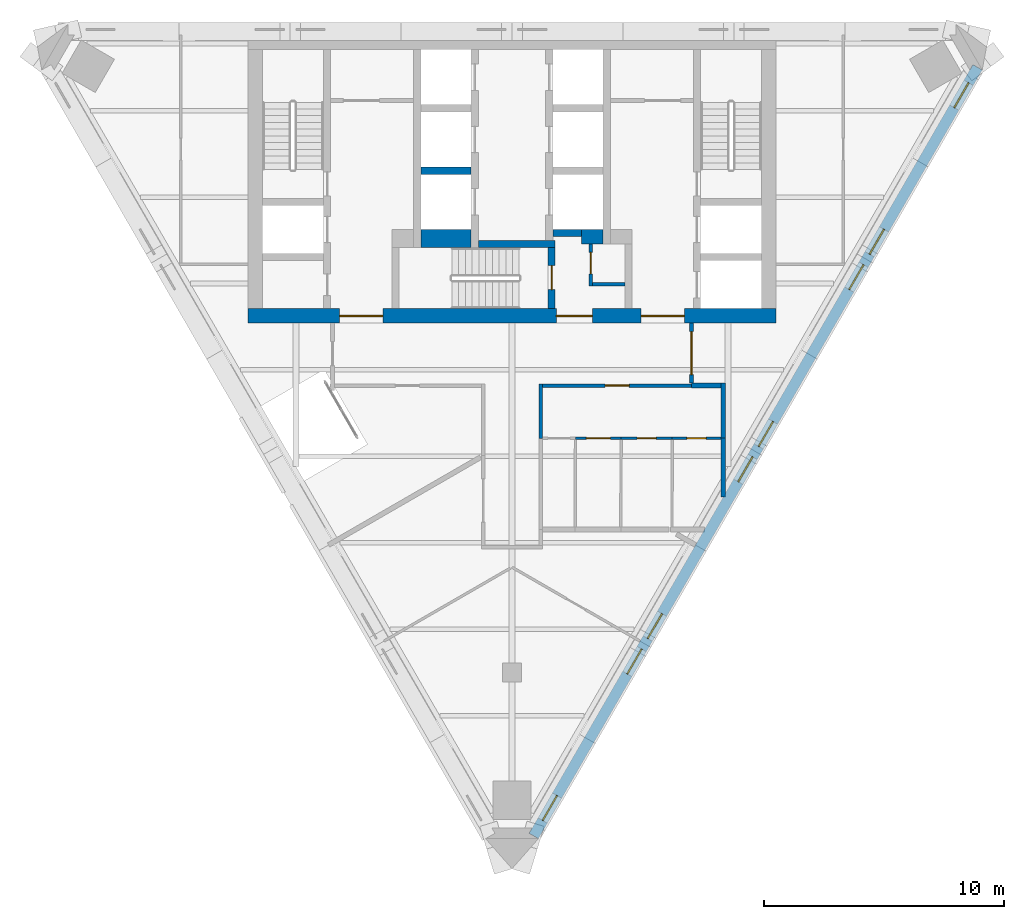
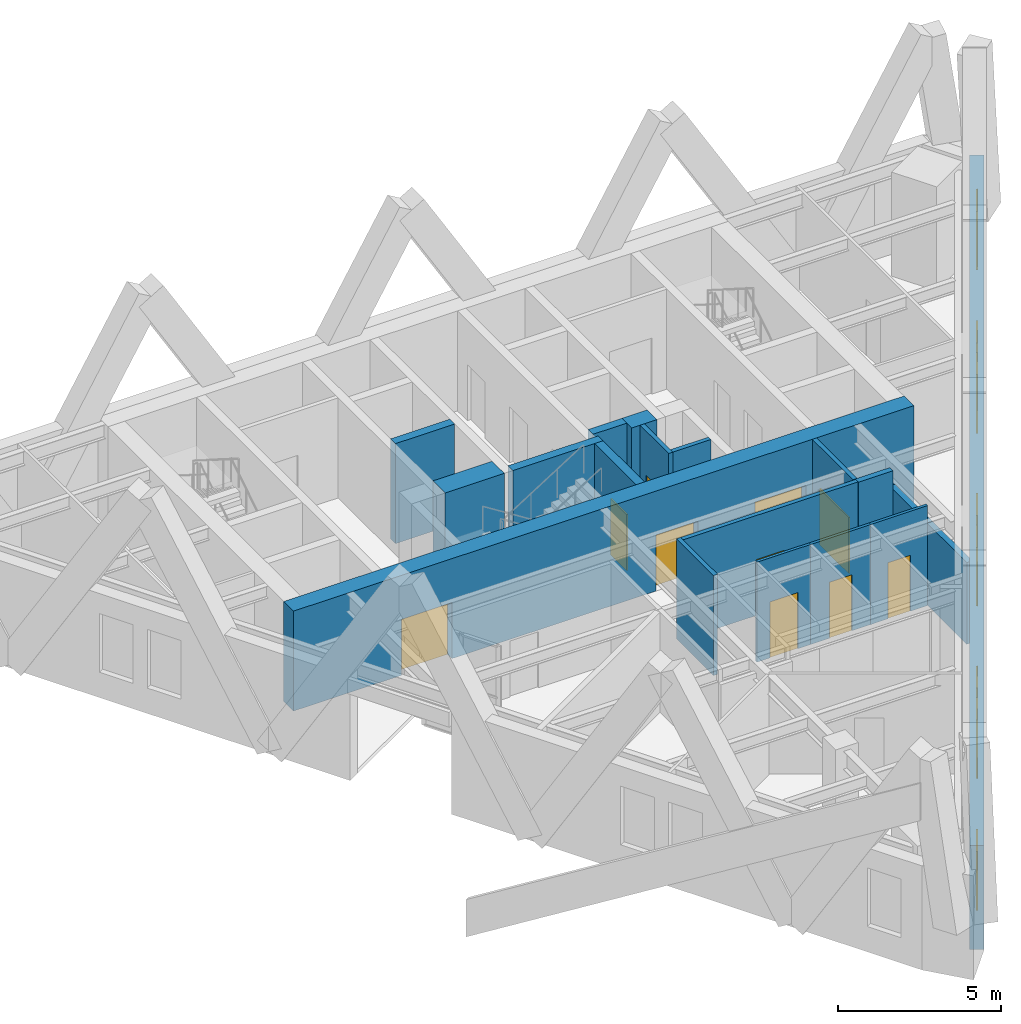
# One storey, part 5 of 8: 19 walls, 10 doors, 8 windows, 18 openings.
"""IFC4 building model written with IfcOpenShell, lengths in metres."""

from ifc_helpers import new_model, si_unit, direction, frame, frame_2d, origin, place, context, subcontext, project, spatial, polyline, rectangle, outline, extrude, material, layer, layer_set, type_object, element, fill, save


model = new_model("IFC4")

# Units and contexts
model_context = context("Model", 3, precision=1e-05, world=origin(), true_north=direction((0.0, 1.0)))
body_context = subcontext(model_context, "Body", "Model", "MODEL_VIEW")
ifc_project = project(units=[si_unit("LENGTHUNIT", "METRE"), si_unit("AREAUNIT", "SQUARE_METRE"), si_unit("VOLUMEUNIT", "CUBIC_METRE"), si_unit("PLANEANGLEUNIT", "RADIAN"), si_unit("MASSUNIT", "GRAM", prefix="KILO")], contexts=[model_context])

# Site, building, storey
site_placement = place(None, origin())
site = spatial("IfcSite", under=ifc_project, at=site_placement, CompositionType="ELEMENT")
building_placement = place(site_placement, origin())
building = spatial("IfcBuilding", under=site, at=building_placement, Name="Aloe Facet Convention Tower", CompositionType="ELEMENT")
storey_placement = place(building_placement, frame((0.0, 0.0, 262.10009765625)))
storey = spatial("IfcBuildingStorey", under=building, at=storey_placement, Name="L64", CompositionType="ELEMENT", Elevation=262.10009765625)

# Wall, opening, door
ifc_material_1 = material(Name="Concrete blockwork partition", Category="masonry")
ifc_layer_1 = layer(ifc_material_1, 0.14990234375)
ifc_layer_set_1 = layer_set([ifc_layer_1], Name="CR-W-PART150")
wall_type_1 = type_object("IfcWallType", Name="CR-W-PART150", PredefinedType="PARTITIONING", material=ifc_layer_set_1)
wall_1_placement = place(storey_placement, frame((83.27490234375, 125.85009765625, 0.0), z_axis=(0.0, 0.0, 1.0), x_axis=(0.0, -1.0, 0.0)))
wall_1 = element("IfcWall", 1, at=wall_1_placement, inside=storey, type_object=wall_type_1, Name="Core partition L64-022", PredefinedType="PARTITIONING", context=body_context, shape_type="SweptSolid", body=[
    extrude(rectangle(XDim=1.75, YDim=0.14990234375, at=frame_2d((0.875, 0.0))), origin(), (0.0, 0.0, 1.0), 3.75),
])
opening_1_placement = place(wall_1_placement, frame((0.35009765625, 0.0, 0.0)))
opening_1 = element("IfcOpeningElement", 2, at=opening_1_placement, cuts=wall_1, Name="Opening L64-CD12", PredefinedType="OPENING", context=body_context, shape_type="SweptSolid", body=[
    extrude(rectangle(XDim=0.89990234375, YDim=2.10009765625, at=frame_2d((0.449951171875, 1.050048828125))), frame((0.0, 0.0849609375, 0.0), z_axis=(0.0, -1.0, 0.0), x_axis=(1.0, 0.0, 0.0)), (0.0, 0.0, 1.0), 0.169921875),
])
ifc_material_2 = material(Name="Steel fire-resisting door set FD60", Category="steel")
door_type_1 = type_object("IfcDoorType", Name="CR-D-REFUGE-900-FD60-SRIGHT", OperationType="SINGLE_SWING_RIGHT", PredefinedType="DOOR", material=ifc_material_2)
door_1_placement = place(opening_1_placement, origin())
door_1 = element("IfcDoor", 3, at=door_1_placement, inside=storey, type_object=door_type_1, Name="Core door L64-CD12", OperationType="SINGLE_SWING_RIGHT", OverallHeight=2.10009765625, OverallWidth=0.89990234375, PredefinedType="DOOR", context=body_context, shape_type="SweptSolid", body=[
    extrude(rectangle(XDim=0.89990234375, YDim=2.10009765625, at=frame_2d((0.449951171875, 1.050048828125))), frame((0.0, 0.02490234375, 0.0), z_axis=(0.0, -1.0, 0.0), x_axis=(1.0, 0.0, 0.0)), (0.0, 0.0, 1.0), 0.050048828125),
])
fill(opening_1, door_1)

# Walls
wall_2_placement = place(storey_placement, frame((83.35009765625, 124.175048828125, 0.0), z_axis=(0.0, 0.0, 1.0), x_axis=(1.0, 0.0, 0.0)))
element("IfcWall", 4, at=wall_2_placement, inside=storey, type_object=wall_type_1, Name="Core partition L64-023", PredefinedType="PARTITIONING", context=body_context, shape_type="SweptSolid", body=[
    extrude(rectangle(XDim=1.349853515625, YDim=0.14990234375, at=frame_2d((0.6748046875, 0.0))), origin(), (0.0, 0.0, 1.0), 3.75),
])
ifc_material_3 = material(Name="Concrete C50/60", Category="concrete")
ifc_layer_2 = layer(ifc_material_3, 0.300048828125)
ifc_layer_set_2 = layer_set([ifc_layer_2], Name="CR-W-RC300-C5060")
wall_type_2 = type_object("IfcWallType", Name="CR-W-RC300-C5060", PredefinedType="SOLIDWALL", material=ifc_layer_set_2)
wall_3_placement = place(storey_placement, frame((76.199951171875, 128.89990234375, 0.0), z_axis=(0.0, 0.0, 1.0), x_axis=(1.0, 0.0, 0.0)))
element("IfcWall", 5, at=wall_3_placement, inside=storey, type_object=wall_type_2, Name="Core wall L64-012", PredefinedType="SOLIDWALL", context=body_context, shape_type="SweptSolid", body=[
    extrude(rectangle(XDim=2.10009765625, YDim=0.300048828125, at=frame_2d((1.050048828125, 0.0))), origin(), (0.0, 0.0, 1.0), 3.75),
])
wall_4_placement = place(storey_placement, frame((78.60009765625, 125.85009765625, 0.0), z_axis=(0.0, 0.0, 1.0), x_axis=(1.0, 0.0, 0.0)))
element("IfcWall", 6, at=wall_4_placement, inside=storey, type_object=wall_type_2, Name="Core wall L64-015", PredefinedType="SOLIDWALL", context=body_context, shape_type="SweptSolid", body=[
    extrude(rectangle(XDim=3.199951171875, YDim=0.300048828125, at=frame_2d((1.60009765625, 0.0))), origin(), (0.0, 0.0, 1.0), 3.75),
])

# Wall, opening, door
wall_5_placement = place(storey_placement, frame((81.64990234375, 125.699951171875, 0.0), z_axis=(0.0, 0.0, 1.0), x_axis=(0.0, -1.0, 0.0)))
wall_5 = element("IfcWall", 7, at=wall_5_placement, inside=storey, type_object=wall_type_2, Name="Core wall L64-017", PredefinedType="SOLIDWALL", context=body_context, shape_type="SweptSolid", body=[
    extrude(rectangle(XDim=2.550048828125, YDim=0.300048828125, at=frame_2d((1.27490234375, 0.0))), origin(), (0.0, 0.0, 1.0), 3.75),
])
opening_2_placement = place(wall_5_placement, frame((0.75, 0.0, 0.0)))
opening_2 = element("IfcOpeningElement", 8, at=opening_2_placement, cuts=wall_5, Name="Opening L64-CD18", PredefinedType="OPENING", context=body_context, shape_type="SweptSolid", body=[
    extrude(rectangle(XDim=1.0, YDim=2.10009765625, at=frame_2d((0.5, 1.050048828125))), frame((0.0, 0.16015625, 0.0), z_axis=(0.0, -1.0, 0.0), x_axis=(1.0, 0.0, 0.0)), (0.0, 0.0, 1.0), 0.320068359375),
])
ifc_material_4 = material(Name="Steel fire-resisting door set FD120", Category="steel")
door_type_2 = type_object("IfcDoorType", Name="CR-D-STAIR-1000-FD120-SLEFT", OperationType="SINGLE_SWING_LEFT", PredefinedType="DOOR", material=ifc_material_4)
door_2_placement = place(opening_2_placement, origin())
door_2 = element("IfcDoor", 9, at=door_2_placement, inside=storey, type_object=door_type_2, Name="Core door L64-CD18", OperationType="SINGLE_SWING_LEFT", OverallHeight=2.10009765625, OverallWidth=1.0, PredefinedType="DOOR", context=body_context, shape_type="SweptSolid", body=[
    extrude(rectangle(XDim=1.0, YDim=2.10009765625, at=frame_2d((0.5, 1.050048828125))), frame((0.0, 0.02490234375, 0.0), z_axis=(0.0, -1.0, 0.0), x_axis=(1.0, 0.0, 0.0)), (0.0, 0.0, 1.0), 0.050048828125),
])
fill(opening_2, door_2)

# Wall
wall_6_placement = place(storey_placement, frame((81.699951171875, 126.300048828125, 0.0), z_axis=(0.0, 0.0, 1.0), x_axis=(1.0, 0.0, 0.0)))
element("IfcWall", 10, at=wall_6_placement, inside=storey, type_object=wall_type_2, Name="Core wall L64-020", PredefinedType="SOLIDWALL", context=body_context, shape_type="SweptSolid", body=[
    extrude(rectangle(XDim=1.199951171875, YDim=0.300048828125, at=frame_2d((0.60009765625, 0.0))), origin(), (0.0, 0.0, 1.0), 3.75),
])

# Wall, openings, doors
ifc_material_5 = material(Name="Concrete C50/60", Category="concrete")
ifc_layer_3 = layer(ifc_material_5, 0.60009765625)
ifc_layer_set_3 = layer_set([ifc_layer_3], Name="CR-W-RC600-C5060")
wall_type_3 = type_object("IfcWallType", Name="CR-W-RC600-C5060", PredefinedType="SOLIDWALL", material=ifc_layer_set_3)
wall_7_placement = place(storey_placement, frame((69.0, 122.85009765625, 0.0), z_axis=(0.0, 0.0, 1.0), x_axis=(1.0, 0.0, 0.0)))
wall_7 = element("IfcWall", 11, at=wall_7_placement, inside=storey, type_object=wall_type_3, Name="Core wall L64-003", PredefinedType="SOLIDWALL", context=body_context, shape_type="SweptSolid", body=[
    extrude(rectangle(XDim=22.0, YDim=0.60009765625, at=frame_2d((11.0, 0.0))), origin(), (0.0, 0.0, 1.0), 3.75),
])
opening_3_placement = place(wall_7_placement, frame((16.375, 0.0, 0.0)))
opening_3 = element("IfcOpeningElement", 12, at=opening_3_placement, cuts=wall_7, Name="Opening L64-CD09", PredefinedType="OPENING", context=body_context, shape_type="SweptSolid", body=[
    extrude(rectangle(XDim=1.800048828125, YDim=2.10009765625, at=frame_2d((0.89990234375, 1.050048828125))), frame((0.0, 0.31005859375, 0.0), z_axis=(0.0, -1.0, 0.0), x_axis=(1.0, 0.0, 0.0)), (0.0, 0.0, 1.0), 0.6201171875),
])
opening_4_placement = place(wall_7_placement, frame((3.824951171875, 0.0, 0.0)))
opening_4 = element("IfcOpeningElement", 13, at=opening_4_placement, cuts=wall_7, Name="Opening L64-CD10", PredefinedType="OPENING", context=body_context, shape_type="SweptSolid", body=[
    extrude(rectangle(XDim=1.800048828125, YDim=2.10009765625, at=frame_2d((0.89990234375, 1.050048828125))), frame((0.0, 0.31005859375, 0.0), z_axis=(0.0, -1.0, 0.0), x_axis=(1.0, 0.0, 0.0)), (0.0, 0.0, 1.0), 0.6201171875),
])
opening_5_placement = place(wall_7_placement, frame((12.85009765625, 0.0, 0.0)))
opening_5 = element("IfcOpeningElement", 14, at=opening_5_placement, cuts=wall_7, Name="Opening L64-CD11", PredefinedType="OPENING", context=body_context, shape_type="SweptSolid", body=[
    extrude(rectangle(XDim=1.5, YDim=2.10009765625, at=frame_2d((0.75, 1.050048828125))), frame((0.0, 0.31005859375, 0.0), z_axis=(0.0, -1.0, 0.0), x_axis=(1.0, 0.0, 0.0)), (0.0, 0.0, 1.0), 0.6201171875),
])
ifc_material_6 = material(Name="Steel fire-resisting door set FD60", Category="steel")
door_type_3 = type_object("IfcDoorType", Name="CR-D-EXIT-1500-FD60-DD", OperationType="DOUBLE_DOOR_DOUBLE_SWING", PredefinedType="DOOR", material=ifc_material_6)
door_3_placement = place(opening_5_placement, origin())
door_3 = element("IfcDoor", 15, at=door_3_placement, inside=storey, type_object=door_type_3, Name="Core door L64-CD11", OperationType="DOUBLE_DOOR_DOUBLE_SWING", OverallHeight=2.10009765625, OverallWidth=1.5, PredefinedType="DOOR", context=body_context, shape_type="SweptSolid", body=[
    extrude(rectangle(XDim=1.5, YDim=2.10009765625, at=frame_2d((0.75, 1.050048828125))), frame((0.0, 0.02490234375, 0.0), z_axis=(0.0, -1.0, 0.0), x_axis=(1.0, 0.0, 0.0)), (0.0, 0.0, 1.0), 0.050048828125),
])
fill(opening_5, door_3)
ifc_material_7 = material(Name="Steel fire-resisting door set FD120", Category="steel")
door_type_4 = type_object("IfcDoorType", Name="CR-D-EXIT-1800-FD120-DD", OperationType="DOUBLE_DOOR_DOUBLE_SWING", PredefinedType="DOOR", material=ifc_material_7)
door_4_placement = place(opening_3_placement, origin())
door_4 = element("IfcDoor", 16, at=door_4_placement, inside=storey, type_object=door_type_4, Name="Core door L64-CD09", OperationType="DOUBLE_DOOR_DOUBLE_SWING", OverallHeight=2.10009765625, OverallWidth=1.800048828125, PredefinedType="DOOR", context=body_context, shape_type="SweptSolid", body=[
    extrude(rectangle(XDim=1.800048828125, YDim=2.10009765625, at=frame_2d((0.89990234375, 1.050048828125))), frame((0.0, 0.02490234375, 0.0), z_axis=(0.0, -1.0, 0.0), x_axis=(1.0, 0.0, 0.0)), (0.0, 0.0, 1.0), 0.050048828125),
])
fill(opening_3, door_4)
door_5_placement = place(opening_4_placement, origin())
door_5 = element("IfcDoor", 17, at=door_5_placement, inside=storey, type_object=door_type_4, Name="Core door L64-CD10", OperationType="DOUBLE_DOOR_DOUBLE_SWING", OverallHeight=2.10009765625, OverallWidth=1.800048828125, PredefinedType="DOOR", context=body_context, shape_type="SweptSolid", body=[
    extrude(rectangle(XDim=1.800048828125, YDim=2.10009765625, at=frame_2d((0.89990234375, 1.050048828125))), frame((0.0, 0.02490234375, 0.0), z_axis=(0.0, -1.0, 0.0), x_axis=(1.0, 0.0, 0.0)), (0.0, 0.0, 1.0), 0.050048828125),
])
fill(opening_4, door_5)

# Walls
wall_8_placement = place(storey_placement, frame((82.89990234375, 126.14990234375, 0.0), z_axis=(0.0, 0.0, 1.0), x_axis=(1.0, 0.0, 0.0)))
element("IfcWall", 18, at=wall_8_placement, inside=storey, type_object=wall_type_3, Name="Core wall L64-021", PredefinedType="SOLIDWALL", context=body_context, shape_type="SweptSolid", body=[
    extrude(rectangle(XDim=0.900146484375, YDim=0.60009765625, at=frame_2d((0.4501953125, 0.0))), origin(), (0.0, 0.0, 1.0), 3.75),
])
ifc_material_8 = material(Name="Concrete C50/60", Category="concrete")
ifc_layer_4 = layer(ifc_material_8, 0.75)
ifc_layer_set_4 = layer_set([ifc_layer_4], Name="CR-W-RC750-C5060")
wall_type_4 = type_object("IfcWallType", Name="CR-W-RC750-C5060", PredefinedType="SOLIDWALL", material=ifc_layer_set_4)
wall_9_placement = place(storey_placement, frame((76.199951171875, 126.074951171875, 0.0), z_axis=(0.0, 0.0, 1.0), x_axis=(1.0, 0.0, 0.0)))
element("IfcWall", 19, at=wall_9_placement, inside=storey, type_object=wall_type_4, Name="Core wall L64-013", PredefinedType="SOLIDWALL", context=body_context, shape_type="SweptSolid", body=[
    extrude(rectangle(XDim=2.10009765625, YDim=0.75, at=frame_2d((1.050048828125, 0.0))), origin(), (0.0, 0.0, 1.0), 3.75),
])

# Wall, openings, windows
ifc_material_9 = material(Name="Precast concrete C40/50", Category="concrete")
ifc_layer_5 = layer(ifc_material_9, 0.449951171875)
ifc_layer_set_5 = layer_set([ifc_layer_5], Name="EV-WALL-STONE")
wall_type_5 = type_object("IfcWallType", Name="EV-WALL-STONE", PredefinedType="SOLIDWALL", material=ifc_layer_set_5)
wall_10_placement = place(storey_placement, frame((80.905029296875, 101.188232421875, -0.150146484375), z_axis=(0.0, 0.0, 1.0), x_axis=(0.500002536638, 0.866023939251, 0.0)))
wall_10 = element("IfcWall", 20, at=wall_10_placement, inside=storey, type_object=wall_type_5, Name="EW-L64-E01", PredefinedType="SOLIDWALL", context=body_context, shape_type="SweptSolid", body=[
    extrude(outline(polyline([(36.972412109375, 0.0), (36.972412109375, 3.900146484375), (0.0, 3.900146484375), (0.0, 0.0), (36.972412109375, 0.0)])), frame((0.0, 0.22509765625, 0.0), z_axis=(0.0, -1.0, 0.0), x_axis=(1.0, 0.0, 0.0)), (0.0, 0.0, 1.0), 0.449951171875),
])
opening_6_placement = place(wall_10_placement, frame((0.744140625, 0.0, 0.949951171875)))
opening_6 = element("IfcOpeningElement", 21, at=opening_6_placement, cuts=wall_10, Name="Opening W-L64-E01", PredefinedType="OPENING", context=body_context, shape_type="SweptSolid", body=[
    extrude(rectangle(XDim=1.199951171875, YDim=2.199951171875, at=frame_2d((0.60009765625, 1.10009765625))), frame((0.0, 0.23486328125, 0.0), z_axis=(0.0, -1.0, 0.0), x_axis=(1.0, 0.0, 0.0)), (0.0, 0.0, 1.0), 0.469970703125),
])
opening_7_placement = place(wall_10_placement, frame((7.79296875, 0.0, 0.949951171875)))
opening_7 = element("IfcOpeningElement", 22, at=opening_7_placement, cuts=wall_10, Name="Opening W-L64-E02", PredefinedType="OPENING", context=body_context, shape_type="SweptSolid", body=[
    extrude(rectangle(XDim=1.199951171875, YDim=2.199951171875, at=frame_2d((0.60009765625, 1.10009765625))), frame((0.0, 0.23486328125, 0.0), z_axis=(0.0, -1.0, 0.0), x_axis=(1.0, 0.0, 0.0)), (0.0, 0.0, 1.0), 0.469970703125),
])
opening_8_placement = place(wall_10_placement, frame((9.4931640625, 0.0, 0.949951171875)))
opening_8 = element("IfcOpeningElement", 23, at=opening_8_placement, cuts=wall_10, Name="Opening W-L64-E03", PredefinedType="OPENING", context=body_context, shape_type="SweptSolid", body=[
    extrude(rectangle(XDim=1.199951171875, YDim=2.199951171875, at=frame_2d((0.60009765625, 1.10009765625))), frame((0.0, 0.23486328125, 0.0), z_axis=(0.0, -1.0, 0.0), x_axis=(1.0, 0.0, 0.0)), (0.0, 0.0, 1.0), 0.469970703125),
])
opening_9_placement = place(wall_10_placement, frame((17.0361328125, 0.0, 0.949951171875)))
opening_9 = element("IfcOpeningElement", 24, at=opening_9_placement, cuts=wall_10, Name="Opening W-L64-E04", PredefinedType="OPENING", context=body_context, shape_type="SweptSolid", body=[
    extrude(rectangle(XDim=1.199951171875, YDim=2.199951171875, at=frame_2d((0.60009765625, 1.10009765625))), frame((0.0, 0.23486328125, 0.0), z_axis=(0.0, -1.0, 0.0), x_axis=(1.0, 0.0, 0.0)), (0.0, 0.0, 1.0), 0.469970703125),
])
opening_10_placement = place(wall_10_placement, frame((18.736083984375, 0.0, 0.949951171875)))
opening_10 = element("IfcOpeningElement", 25, at=opening_10_placement, cuts=wall_10, Name="Opening W-L64-E05", PredefinedType="OPENING", context=body_context, shape_type="SweptSolid", body=[
    extrude(rectangle(XDim=1.199951171875, YDim=2.199951171875, at=frame_2d((0.60009765625, 1.10009765625))), frame((0.0, 0.23486328125, 0.0), z_axis=(0.0, -1.0, 0.0), x_axis=(1.0, 0.0, 0.0)), (0.0, 0.0, 1.0), 0.469970703125),
])
opening_11_placement = place(wall_10_placement, frame((26.279296875, 0.0, 0.949951171875)))
opening_11 = element("IfcOpeningElement", 26, at=opening_11_placement, cuts=wall_10, Name="Opening W-L64-E06", PredefinedType="OPENING", context=body_context, shape_type="SweptSolid", body=[
    extrude(rectangle(XDim=1.199951171875, YDim=2.199951171875, at=frame_2d((0.60009765625, 1.10009765625))), frame((0.0, 0.23486328125, 0.0), z_axis=(0.0, -1.0, 0.0), x_axis=(1.0, 0.0, 0.0)), (0.0, 0.0, 1.0), 0.469970703125),
])
opening_12_placement = place(wall_10_placement, frame((27.979248046875, 0.0, 0.949951171875)))
opening_12 = element("IfcOpeningElement", 27, at=opening_12_placement, cuts=wall_10, Name="Opening W-L64-E07", PredefinedType="OPENING", context=body_context, shape_type="SweptSolid", body=[
    extrude(rectangle(XDim=1.199951171875, YDim=2.199951171875, at=frame_2d((0.60009765625, 1.10009765625))), frame((0.0, 0.23486328125, 0.0), z_axis=(0.0, -1.0, 0.0), x_axis=(1.0, 0.0, 0.0)), (0.0, 0.0, 1.0), 0.469970703125),
])
opening_13_placement = place(wall_10_placement, frame((35.028076171875, 0.0, 0.949951171875)))
opening_13 = element("IfcOpeningElement", 28, at=opening_13_placement, cuts=wall_10, Name="Opening W-L64-E08", PredefinedType="OPENING", context=body_context, shape_type="SweptSolid", body=[
    extrude(rectangle(XDim=1.199951171875, YDim=2.199951171875, at=frame_2d((0.60009765625, 1.10009765625))), frame((0.0, 0.23486328125, 0.0), z_axis=(0.0, -1.0, 0.0), x_axis=(1.0, 0.0, 0.0)), (0.0, 0.0, 1.0), 0.469970703125),
])
ifc_material_10 = material(Name="Aluminium frame, clear double glazing", Category="aluminium")
window_type = type_object("IfcWindowType", Name="EV-WIN-O12", PartitioningType="SINGLE_PANEL", PredefinedType="WINDOW", material=ifc_material_10)
window_1_placement = place(opening_6_placement, origin())
window_1 = element("IfcWindow", 29, at=window_1_placement, inside=storey, type_object=window_type, Name="W-L64-E01", OverallHeight=2.199951171875, OverallWidth=1.199951171875, PartitioningType="SINGLE_PANEL", PredefinedType="WINDOW", context=body_context, shape_type="SweptSolid", body=[
    extrude(rectangle(XDim=1.199951171875, YDim=2.199951171875, at=frame_2d((0.60009765625, 1.10009765625))), frame((0.0, 0.030029296875, 0.0), z_axis=(0.0, -1.0, 0.0), x_axis=(1.0, 0.0, 0.0)), (0.0, 0.0, 1.0), 0.06005859375),
])
fill(opening_6, window_1)
window_2_placement = place(opening_7_placement, origin())
window_2 = element("IfcWindow", 30, at=window_2_placement, inside=storey, type_object=window_type, Name="W-L64-E02", OverallHeight=2.199951171875, OverallWidth=1.199951171875, PartitioningType="SINGLE_PANEL", PredefinedType="WINDOW", context=body_context, shape_type="SweptSolid", body=[
    extrude(rectangle(XDim=1.199951171875, YDim=2.199951171875, at=frame_2d((0.60009765625, 1.10009765625))), frame((0.0, 0.030029296875, 0.0), z_axis=(0.0, -1.0, 0.0), x_axis=(1.0, 0.0, 0.0)), (0.0, 0.0, 1.0), 0.06005859375),
])
fill(opening_7, window_2)
window_3_placement = place(opening_8_placement, origin())
window_3 = element("IfcWindow", 31, at=window_3_placement, inside=storey, type_object=window_type, Name="W-L64-E03", OverallHeight=2.199951171875, OverallWidth=1.199951171875, PartitioningType="SINGLE_PANEL", PredefinedType="WINDOW", context=body_context, shape_type="SweptSolid", body=[
    extrude(rectangle(XDim=1.199951171875, YDim=2.199951171875, at=frame_2d((0.60009765625, 1.10009765625))), frame((0.0, 0.030029296875, 0.0), z_axis=(0.0, -1.0, 0.0), x_axis=(1.0, 0.0, 0.0)), (0.0, 0.0, 1.0), 0.06005859375),
])
fill(opening_8, window_3)
window_4_placement = place(opening_9_placement, origin())
window_4 = element("IfcWindow", 32, at=window_4_placement, inside=storey, type_object=window_type, Name="W-L64-E04", OverallHeight=2.199951171875, OverallWidth=1.199951171875, PartitioningType="SINGLE_PANEL", PredefinedType="WINDOW", context=body_context, shape_type="SweptSolid", body=[
    extrude(rectangle(XDim=1.199951171875, YDim=2.199951171875, at=frame_2d((0.60009765625, 1.10009765625))), frame((0.0, 0.030029296875, 0.0), z_axis=(0.0, -1.0, 0.0), x_axis=(1.0, 0.0, 0.0)), (0.0, 0.0, 1.0), 0.06005859375),
])
fill(opening_9, window_4)
window_5_placement = place(opening_10_placement, origin())
window_5 = element("IfcWindow", 33, at=window_5_placement, inside=storey, type_object=window_type, Name="W-L64-E05", OverallHeight=2.199951171875, OverallWidth=1.199951171875, PartitioningType="SINGLE_PANEL", PredefinedType="WINDOW", context=body_context, shape_type="SweptSolid", body=[
    extrude(rectangle(XDim=1.199951171875, YDim=2.199951171875, at=frame_2d((0.60009765625, 1.10009765625))), frame((0.0, 0.030029296875, 0.0), z_axis=(0.0, -1.0, 0.0), x_axis=(1.0, 0.0, 0.0)), (0.0, 0.0, 1.0), 0.06005859375),
])
fill(opening_10, window_5)
window_6_placement = place(opening_11_placement, origin())
window_6 = element("IfcWindow", 34, at=window_6_placement, inside=storey, type_object=window_type, Name="W-L64-E06", OverallHeight=2.199951171875, OverallWidth=1.199951171875, PartitioningType="SINGLE_PANEL", PredefinedType="WINDOW", context=body_context, shape_type="SweptSolid", body=[
    extrude(rectangle(XDim=1.199951171875, YDim=2.199951171875, at=frame_2d((0.60009765625, 1.10009765625))), frame((0.0, 0.030029296875, 0.0), z_axis=(0.0, -1.0, 0.0), x_axis=(1.0, 0.0, 0.0)), (0.0, 0.0, 1.0), 0.06005859375),
])
fill(opening_11, window_6)
window_7_placement = place(opening_12_placement, origin())
window_7 = element("IfcWindow", 35, at=window_7_placement, inside=storey, type_object=window_type, Name="W-L64-E07", OverallHeight=2.199951171875, OverallWidth=1.199951171875, PartitioningType="SINGLE_PANEL", PredefinedType="WINDOW", context=body_context, shape_type="SweptSolid", body=[
    extrude(rectangle(XDim=1.199951171875, YDim=2.199951171875, at=frame_2d((0.60009765625, 1.10009765625))), frame((0.0, 0.030029296875, 0.0), z_axis=(0.0, -1.0, 0.0), x_axis=(1.0, 0.0, 0.0)), (0.0, 0.0, 1.0), 0.06005859375),
])
fill(opening_12, window_7)
window_8_placement = place(opening_13_placement, origin())
window_8 = element("IfcWindow", 36, at=window_8_placement, inside=storey, type_object=window_type, Name="W-L64-E08", OverallHeight=2.199951171875, OverallWidth=1.199951171875, PartitioningType="SINGLE_PANEL", PredefinedType="WINDOW", context=body_context, shape_type="SweptSolid", body=[
    extrude(rectangle(XDim=1.199951171875, YDim=2.199951171875, at=frame_2d((0.60009765625, 1.10009765625))), frame((0.0, 0.030029296875, 0.0), z_axis=(0.0, -1.0, 0.0), x_axis=(1.0, 0.0, 0.0)), (0.0, 0.0, 1.0), 0.06005859375),
])
fill(opening_13, window_8)

# Wall
ifc_material_11 = material(Name="Gypsum board partition on steel studs", Category="steel")
ifc_layer_6 = layer(ifc_material_11, 0.14990234375)
ifc_layer_set_6 = layer_set([ifc_layer_6], Name="IN-W-CORR")
wall_type_6 = type_object("IfcWallType", Name="IN-W-CORR", PredefinedType="PARTITIONING", material=ifc_layer_set_6)
wall_11_placement = place(storey_placement, frame((81.199951171875, 117.75, 0.0), z_axis=(0.0, 0.0, 1.0), x_axis=(0.0, 1.0, 0.0)))
element("IfcWall", 37, at=wall_11_placement, inside=storey, type_object=wall_type_6, Name="Partition L64-W025", PredefinedType="PARTITIONING", context=body_context, shape_type="SweptSolid", body=[
    extrude(rectangle(XDim=2.27490234375, YDim=0.14990234375, at=frame_2d((1.137451171875, 0.0))), origin(), (0.0, 0.0, 1.0), 3.75),
])

# Wall, opening, door
wall_12_placement = place(storey_placement, frame((81.27490234375, 119.949951171875, 0.0), z_axis=(0.0, 0.0, 1.0), x_axis=(1.0, 0.0, 0.0)))
wall_12 = element("IfcWall", 38, at=wall_12_placement, inside=storey, type_object=wall_type_6, Name="Partition L64-W026", PredefinedType="PARTITIONING", context=body_context, shape_type="SweptSolid", body=[
    extrude(rectangle(XDim=6.2001953125, YDim=0.14990234375, at=frame_2d((3.10009765625, 0.0))), origin(), (0.0, 0.0, 1.0), 3.75),
])
opening_14_placement = place(wall_12_placement, frame((2.60009765625, 0.0, 0.0)))
opening_14 = element("IfcOpeningElement", 39, at=opening_14_placement, cuts=wall_12, Name="Opening L64-001", PredefinedType="OPENING", context=body_context, shape_type="SweptSolid", body=[
    extrude(rectangle(XDim=1.0, YDim=2.10009765625, at=frame_2d((0.5, 1.050048828125))), frame((0.0, 0.0849609375, 0.0), z_axis=(0.0, -1.0, 0.0), x_axis=(1.0, 0.0, 0.0)), (0.0, 0.0, 1.0), 0.169921875),
])
ifc_material_12 = material(Name="Timber door FD30S with vision panel", Category="wood")
door_type_5 = type_object("IfcDoorType", Name="IN-OFF-D-ENTRY", OperationType="SINGLE_SWING_LEFT", PredefinedType="DOOR", material=ifc_material_12)
door_6_placement = place(opening_14_placement, origin())
door_6 = element("IfcDoor", 40, at=door_6_placement, inside=storey, type_object=door_type_5, Name="Door L64-001", OperationType="SINGLE_SWING_LEFT", OverallHeight=2.10009765625, OverallWidth=1.0, PredefinedType="DOOR", context=body_context, shape_type="SweptSolid", body=[
    extrude(rectangle(XDim=1.0, YDim=2.10009765625, at=frame_2d((0.5, 1.050048828125))), frame((0.0, 0.02490234375, 0.0), z_axis=(0.0, -1.0, 0.0), x_axis=(1.0, 0.0, 0.0)), (0.0, 0.0, 1.0), 0.050048828125),
])
fill(opening_14, door_6)

wall_13_placement = place(storey_placement, frame((87.47509765625, 120.050048828125, 0.0), z_axis=(0.0, 0.0, 1.0), x_axis=(0.0, 1.0, 0.0)))
wall_13 = element("IfcWall", 41, at=wall_13_placement, inside=storey, type_object=wall_type_6, Name="Partition L64-W027", PredefinedType="PARTITIONING", context=body_context, shape_type="SweptSolid", body=[
    extrude(rectangle(XDim=2.5, YDim=0.14990234375, at=frame_2d((1.25, 0.0))), origin(), (0.0, 0.0, 1.0), 3.75),
])
opening_15_placement = place(wall_13_placement, frame((0.35009765625, 0.0, 0.0)))
opening_15 = element("IfcOpeningElement", 42, at=opening_15_placement, cuts=wall_13, Name="Opening L64-010", PredefinedType="OPENING", context=body_context, shape_type="SweptSolid", body=[
    extrude(rectangle(XDim=1.800048828125, YDim=2.10009765625, at=frame_2d((0.89990234375, 1.050048828125))), frame((0.0, 0.0849609375, 0.0), z_axis=(0.0, -1.0, 0.0), x_axis=(1.0, 0.0, 0.0)), (0.0, 0.0, 1.0), 0.169921875),
])
ifc_material_13 = material(Name="Glazed timber door pair FD30S", Category="wood")
door_type_6 = type_object("IfcDoorType", Name="IN-OFF-D-SUITE", OperationType="DOUBLE_DOOR_SINGLE_SWING", PredefinedType="DOOR", material=ifc_material_13)
door_7_placement = place(opening_15_placement, origin())
door_7 = element("IfcDoor", 43, at=door_7_placement, inside=storey, type_object=door_type_6, Name="Door L64-010", OperationType="SINGLE_SWING_LEFT", OverallHeight=2.10009765625, OverallWidth=1.800048828125, PredefinedType="DOOR", context=body_context, shape_type="SweptSolid", body=[
    extrude(rectangle(XDim=1.800048828125, YDim=2.10009765625, at=frame_2d((0.89990234375, 1.050048828125))), frame((0.0, 0.02490234375, 0.0), z_axis=(0.0, -1.0, 0.0), x_axis=(1.0, 0.0, 0.0)), (0.0, 0.0, 1.0), 0.050048828125),
])
fill(opening_15, door_7)

ifc_material_14 = material(Name="Gypsum board partition on steel studs", Category="steel")
ifc_layer_7 = layer(ifc_material_14, 0.10009765625)
ifc_layer_set_7 = layer_set([ifc_layer_7], Name="IN-W-PART")
wall_type_7 = type_object("IfcWallType", Name="IN-W-PART", PredefinedType="PARTITIONING", material=ifc_layer_set_7)
wall_14_placement = place(storey_placement, frame((82.64404296875, 117.75, 0.0), z_axis=(0.0, 0.0, 1.0), x_axis=(1.0, 0.0, 0.0)))
wall_14 = element("IfcWall", 44, at=wall_14_placement, inside=storey, type_object=wall_type_7, Name="Partition L64-W019", PredefinedType="PARTITIONING", context=body_context, shape_type="SweptSolid", body=[
    extrude(rectangle(XDim=1.89990234375, YDim=0.10009765625, at=frame_2d((0.949951171875, 0.0))), origin(), (0.0, 0.0, 1.0), 3.75),
])
opening_16_placement = place(wall_14_placement, frame((0.449951171875, 0.0, 0.0)))
opening_16 = element("IfcOpeningElement", 45, at=opening_16_placement, cuts=wall_14, Name="Opening L64-003", PredefinedType="OPENING", context=body_context, shape_type="SweptSolid", body=[
    extrude(rectangle(XDim=1.0, YDim=2.10009765625, at=frame_2d((0.5, 1.050048828125))), frame((0.0, 0.06005859375, 0.0), z_axis=(0.0, -1.0, 0.0), x_axis=(1.0, 0.0, 0.0)), (0.0, 0.0, 1.0), 0.1201171875),
])
ifc_material_15 = material(Name="Timber door", Category="wood")
door_type_7 = type_object("IfcDoorType", Name="IN-OFF-D-WIDE", OperationType="SINGLE_SWING_LEFT", PredefinedType="DOOR", material=ifc_material_15)
door_8_placement = place(opening_16_placement, origin())
door_8 = element("IfcDoor", 46, at=door_8_placement, inside=storey, type_object=door_type_7, Name="Door L64-003", OperationType="SINGLE_SWING_LEFT", OverallHeight=2.10009765625, OverallWidth=1.0, PredefinedType="DOOR", context=body_context, shape_type="SweptSolid", body=[
    extrude(rectangle(XDim=1.0, YDim=2.10009765625, at=frame_2d((0.5, 1.050048828125))), frame((0.0, 0.02490234375, 0.0), z_axis=(0.0, -1.0, 0.0), x_axis=(1.0, 0.0, 0.0)), (0.0, 0.0, 1.0), 0.050048828125),
])
fill(opening_16, door_8)

wall_15_placement = place(storey_placement, frame((84.5439453125, 117.75, 0.0), z_axis=(0.0, 0.0, 1.0), x_axis=(1.0, 0.0, 0.0)))
wall_15 = element("IfcWall", 47, at=wall_15_placement, inside=storey, type_object=wall_type_7, Name="Partition L64-W021", PredefinedType="PARTITIONING", context=body_context, shape_type="SweptSolid", body=[
    extrude(rectangle(XDim=2.128173828125, YDim=0.10009765625, at=frame_2d((1.06396484375, 0.0))), origin(), (0.0, 0.0, 1.0), 3.75),
])
opening_17_placement = place(wall_15_placement, frame((0.6640625, 0.0, 0.0)))
opening_17 = element("IfcOpeningElement", 48, at=opening_17_placement, cuts=wall_15, Name="Opening L64-004", PredefinedType="OPENING", context=body_context, shape_type="SweptSolid", body=[
    extrude(rectangle(XDim=0.800048828125, YDim=2.10009765625, at=frame_2d((0.39990234375, 1.050048828125))), frame((0.0, 0.06005859375, 0.0), z_axis=(0.0, -1.0, 0.0), x_axis=(1.0, 0.0, 0.0)), (0.0, 0.0, 1.0), 0.1201171875),
])
ifc_material_16 = material(Name="Timber door", Category="wood")
door_type_8 = type_object("IfcDoorType", Name="IN-OFF-D-WC", OperationType="SINGLE_SWING_LEFT", PredefinedType="DOOR", material=ifc_material_16)
door_9_placement = place(opening_17_placement, origin())
door_9 = element("IfcDoor", 49, at=door_9_placement, inside=storey, type_object=door_type_8, Name="Door L64-004", OperationType="SINGLE_SWING_LEFT", OverallHeight=2.10009765625, OverallWidth=0.800048828125, PredefinedType="DOOR", context=body_context, shape_type="SweptSolid", body=[
    extrude(rectangle(XDim=0.800048828125, YDim=2.10009765625, at=frame_2d((0.39990234375, 1.050048828125))), frame((0.0, 0.02490234375, 0.0), z_axis=(0.0, -1.0, 0.0), x_axis=(1.0, 0.0, 0.0)), (0.0, 0.0, 1.0), 0.050048828125),
])
fill(opening_17, door_9)

wall_16_placement = place(storey_placement, frame((86.672119140625, 117.75, 0.0), z_axis=(0.0, 0.0, 1.0), x_axis=(0.999988976787, 0.004695349157, 0.0)))
wall_16 = element("IfcWall", 50, at=wall_16_placement, inside=storey, type_object=wall_type_7, Name="Partition L64-W022", PredefinedType="PARTITIONING", context=body_context, shape_type="SweptSolid", body=[
    extrude(rectangle(XDim=2.02783203125, YDim=0.10009765625, at=frame_2d((1.013916015625, 0.0))), origin(), (0.0, 0.0, 1.0), 3.75),
])
opening_18_placement = place(wall_16_placement, frame((0.614013671875, 0.0, 0.0)))
opening_18 = element("IfcOpeningElement", 51, at=opening_18_placement, cuts=wall_16, Name="Opening L64-005", PredefinedType="OPENING", context=body_context, shape_type="SweptSolid", body=[
    extrude(rectangle(XDim=0.800048828125, YDim=2.10009765625, at=frame_2d((0.39990234375, 1.050048828125))), frame((0.0, 0.06005859375, 0.0), z_axis=(0.0, -1.0, 0.0), x_axis=(1.0, 0.0, 0.0)), (0.0, 0.0, 1.0), 0.1201171875),
])
door_10_placement = place(opening_18_placement, origin())
door_10 = element("IfcDoor", 52, at=door_10_placement, inside=storey, type_object=door_type_8, Name="Door L64-005", OperationType="SINGLE_SWING_LEFT", OverallHeight=2.10009765625, OverallWidth=0.800048828125, PredefinedType="DOOR", context=body_context, shape_type="SweptSolid", body=[
    extrude(rectangle(XDim=0.800048828125, YDim=2.10009765625, at=frame_2d((0.39990234375, 1.050048828125))), frame((0.0, 0.02490234375, 0.0), z_axis=(0.0, -1.0, 0.0), x_axis=(1.0, 0.0, 0.0)), (0.0, 0.0, 1.0), 0.050048828125),
])
fill(opening_18, door_10)

# Walls
ifc_material_17 = material(Name="Gypsum board partition on steel studs", Category="steel")
ifc_layer_8 = layer(ifc_material_17, 0.199951171875)
ifc_layer_set_8 = layer_set([ifc_layer_8], Name="IN-W-PARTY")
wall_type_8 = type_object("IfcWallType", Name="IN-W-PARTY", PredefinedType="PARTITIONING", material=ifc_layer_set_8)
wall_17_placement = place(storey_placement, frame((88.800048828125, 115.3125, 0.0), z_axis=(0.0, 0.0, 1.0), x_axis=(0.0, 1.0, 0.0)))
element("IfcWall", 53, at=wall_17_placement, inside=storey, type_object=wall_type_8, Name="Partition L64-W012", PredefinedType="PARTITIONING", context=body_context, shape_type="SweptSolid", body=[
    extrude(rectangle(XDim=2.447509765625, YDim=0.199951171875, at=frame_2d((1.2236328125, 0.0))), origin(), (0.0, 0.0, 1.0), 3.06201171875),
])
wall_18_placement = place(storey_placement, frame((88.800048828125, 117.760009765625, 0.0), z_axis=(0.0, 0.0, 1.0), x_axis=(0.0, 1.0, 0.0)))
element("IfcWall", 54, at=wall_18_placement, inside=storey, type_object=wall_type_8, Name="Partition L64-W015", PredefinedType="PARTITIONING", context=body_context, shape_type="SweptSolid", body=[
    extrude(rectangle(XDim=2.2900390625, YDim=0.199951171875, at=frame_2d((1.14501953125, 0.0))), origin(), (0.0, 0.0, 1.0), 3.06201171875),
])
wall_19_placement = place(storey_placement, frame((87.47509765625, 119.949951171875, 0.0), z_axis=(0.0, 0.0, 1.0), x_axis=(1.0, 0.0, 0.0)))
element("IfcWall", 55, at=wall_19_placement, inside=storey, type_object=wall_type_8, Name="Partition L64-W028", PredefinedType="PARTITIONING", context=body_context, shape_type="SweptSolid", body=[
    extrude(rectangle(XDim=1.224853515625, YDim=0.199951171875, at=frame_2d((0.6123046875, 0.0))), origin(), (0.0, 0.0, 1.0), 3.75),
])

save(model, "model.ifc")
